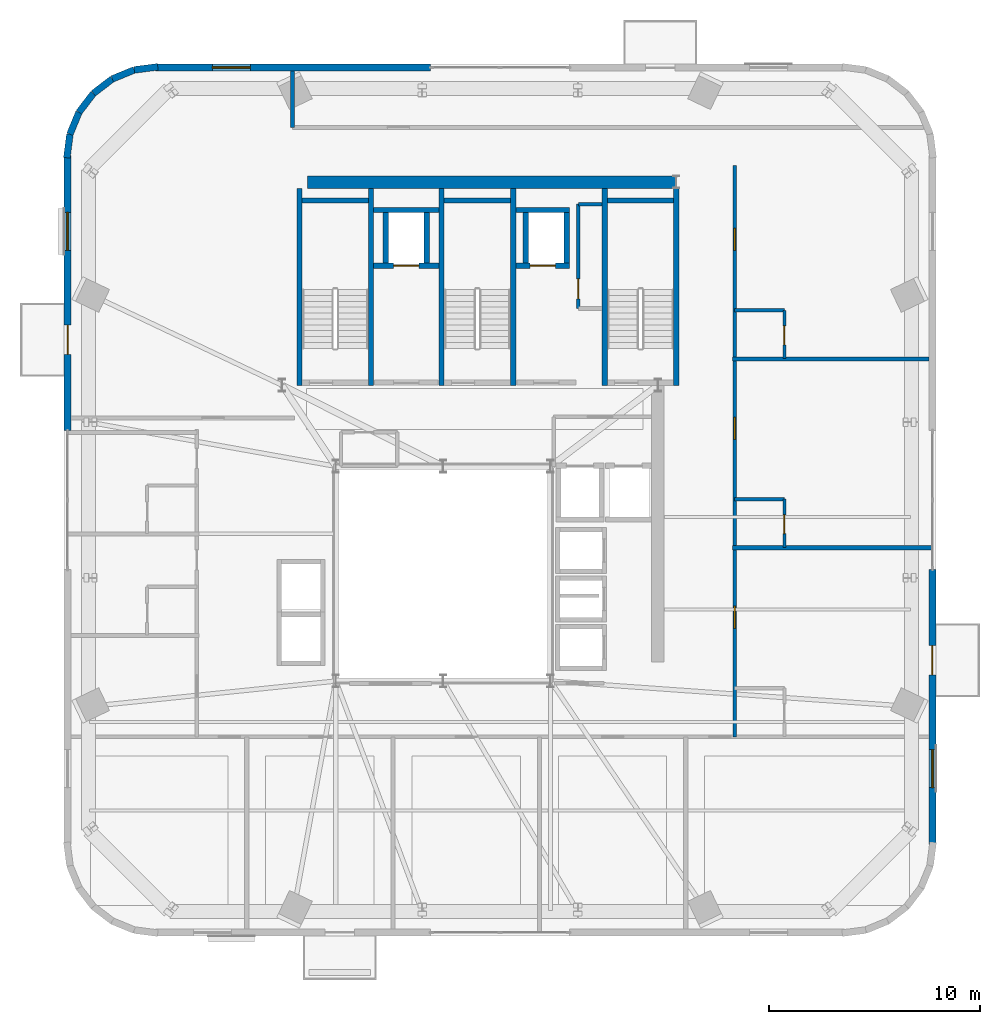
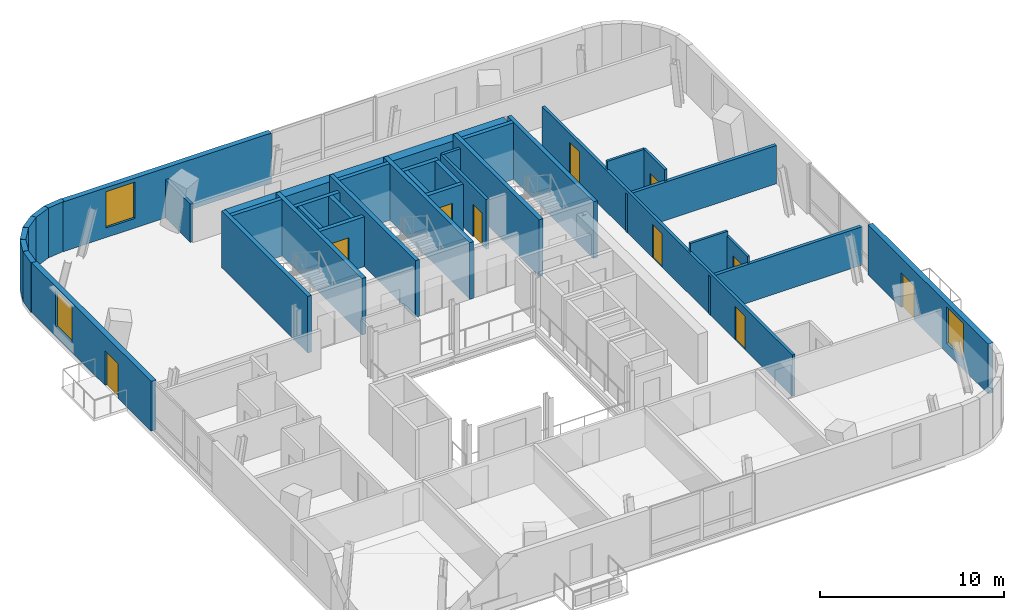
# One storey, part 8 of 13: 37 walls, 10 doors, 3 windows, 13 openings.
"""IFC4 building model written with IfcOpenShell, lengths in metres."""

from ifc_helpers import new_model, si_unit, direction, frame, frame_2d, origin, place, context, subcontext, project, spatial, rectangle, extrude, source, transform, mapped, material, layer, layer_set, type_object, element, fill, save


model = new_model("IFC4")

# Units and contexts
model_context = context("Model", 3, precision=1e-05, world=origin(), true_north=direction((0.0, 1.0)))
body_context = subcontext(model_context, "Body", "Model", "MODEL_VIEW")
ifc_project = project(units=[si_unit("LENGTHUNIT", "METRE"), si_unit("AREAUNIT", "SQUARE_METRE"), si_unit("VOLUMEUNIT", "CUBIC_METRE"), si_unit("PLANEANGLEUNIT", "RADIAN"), si_unit("MASSUNIT", "GRAM", prefix="KILO")], contexts=[model_context])

# Site, building, storey
site_placement = place(None, origin())
site = spatial("IfcSite", under=ifc_project, at=site_placement, CompositionType="ELEMENT")
building_placement = place(site_placement, origin())
building = spatial("IfcBuilding", under=site, at=building_placement, Name="Vardaveli Station Tower", CompositionType="ELEMENT")
storey_placement = place(building_placement, frame((0.0, 0.0, 274.300048828125)))
storey = spatial("IfcBuildingStorey", under=building, at=storey_placement, Name="L70", CompositionType="ELEMENT", Elevation=274.300048828125)

# Wall
ifc_material_1 = material(Name="Concrete C50/60", Category="concrete")
ifc_layer_1 = layer(ifc_material_1, 0.60009765625, Name="Concrete C50/60")
ifc_layer_set_1 = layer_set([ifc_layer_1], Name="Concrete C50/60")
wall_type_1 = type_object("IfcWallType", Name="WAL-CORE-600", PredefinedType="SHEAR", material=ifc_layer_set_1)
shared_shape_1 = source(origin(), body_context, "Body", "SweptSolid", [
    extrude(rectangle(XDim=17.52001953125, YDim=0.60009765625, at=frame_2d((8.760009765625, 0.0))), origin(), (0.0, 0.0, 1.0), 3.300048828125),
])
wall_1_placement = place(storey_placement, frame((29.85009765625, 40.300048828125, 0.0), z_axis=(0.0, 0.0, 1.0), x_axis=(1.0, 0.0, 0.0)))
element("IfcWall", 1, at=wall_1_placement, inside=storey, type_object=wall_type_1, Name="SW-L70-NORTH", PredefinedType="SHEAR", context=body_context, shape_type="MappedRepresentation", body=[
    mapped(shared_shape_1, transform((0.0, 0.0, 0.0), scale=1.0)),
])

# Wall, opening, window
ifc_material_2 = material(Name="Precast concrete C45/55", Category="concrete")
ifc_layer_2 = layer(ifc_material_2, 0.320068359375, Name="Precast concrete C45/55")
ifc_layer_set_2 = layer_set([ifc_layer_2], Name="Precast concrete C45/55")
wall_type_2 = type_object("IfcWallType", Name="WAL-EXT-STONE-320", PredefinedType="SOLIDWALL", material=ifc_layer_set_2)
shared_shape_2 = source(origin(), body_context, "Body", "SweptSolid", [
    extrude(rectangle(XDim=13.052978515625, YDim=0.320068359375, at=frame_2d((6.5263671875, 0.0))), origin(), (0.0, 0.0, 1.0), 3.300048828125),
])
wall_2_placement = place(storey_placement, frame((35.699951171875, 45.739990234375, 0.0), z_axis=(0.0, 0.0, 1.0), x_axis=(-1.0, 0.0, 0.0)))
wall_2 = element("IfcWall", 2, at=wall_2_placement, inside=storey, type_object=wall_type_2, Name="EW-L70-N2", PredefinedType="SOLIDWALL", context=body_context, shape_type="MappedRepresentation", body=[
    mapped(shared_shape_2, transform((0.0, 0.0, 0.0), scale=1.0)),
])
shared_shape_3 = source(origin(), body_context, "Body", "SweptSolid", [
    extrude(rectangle(XDim=1.800048828125, YDim=2.39990234375, at=frame_2d((0.89990234375, 1.199951171875))), frame((0.0, 0.169921875, 0.0), z_axis=(0.0, -1.0, 0.0), x_axis=(1.0, 0.0, 0.0)), (0.0, 0.0, 1.0), 0.340087890625),
])
opening_1_placement = place(wall_2_placement, frame((8.557373046875, 0.0, 0.639892578125)))
opening_1 = element("IfcOpeningElement", 3, at=opening_1_placement, cuts=wall_2, Name="Opening W-05", PredefinedType="OPENING", context=body_context, shape_type="MappedRepresentation", body=[
    mapped(shared_shape_3, transform((0.0, 0.0, 0.0), scale=1.0)),
])
ifc_material_3 = material(Name="Low-E solar-control glass", Category="glass")
window_type = type_object("IfcWindowType", Name="WIN-HIGH-1800x2400", PartitioningType="SINGLE_PANEL", PredefinedType="WINDOW", material=ifc_material_3)
shared_shape_4 = source(origin(), body_context, "Body", "SweptSolid", [
    extrude(rectangle(XDim=1.800048828125, YDim=2.39990234375, at=frame_2d((0.89990234375, 1.199951171875))), frame((0.0, 0.030029296875, 0.0), z_axis=(0.0, -1.0, 0.0), x_axis=(1.0, 0.0, 0.0)), (0.0, 0.0, 1.0), 0.06005859375),
])
window_1_placement = place(opening_1_placement, origin())
window_1 = element("IfcWindow", 4, at=window_1_placement, inside=storey, type_object=window_type, Name="WN-L70-N2", OverallHeight=2.39990234375, OverallWidth=1.800048828125, PartitioningType="SINGLE_PANEL", PredefinedType="WINDOW", context=body_context, shape_type="MappedRepresentation", body=[
    mapped(shared_shape_4, transform((0.0, 0.0, 0.0), scale=1.0)),
])
fill(opening_1, window_1)

# Wall, openings, door, window
wall_3_placement = place(storey_placement, frame((18.4599609375, 41.552978515625, 0.0), z_axis=(0.0, 0.0, 1.0), x_axis=(0.0, -1.0, 0.0)))
wall_3 = element("IfcWall", 5, at=wall_3_placement, inside=storey, type_object=wall_type_2, Name="EW-L70-W1", PredefinedType="SOLIDWALL", context=body_context, shape_type="MappedRepresentation", body=[
    mapped(shared_shape_2, transform((0.0, 0.0, 0.0), scale=1.0)),
])
shared_shape_5 = source(origin(), body_context, "Body", "SweptSolid", [
    extrude(rectangle(XDim=1.39990234375, YDim=2.300048828125, at=frame_2d((0.699951171875, 1.14990234375))), frame((0.0, 0.169921875, 0.0), z_axis=(0.0, -1.0, 0.0), x_axis=(1.0, 0.0, 0.0)), (0.0, 0.0, 1.0), 0.340087890625),
])
opening_2_placement = place(wall_3_placement, frame((8.04150390625, 0.0, 0.0)))
opening_2 = element("IfcOpeningElement", 6, at=opening_2_placement, cuts=wall_3, Name="Opening D-09", PredefinedType="OPENING", context=body_context, shape_type="MappedRepresentation", body=[
    mapped(shared_shape_5, transform((0.0, 0.0, 0.0), scale=1.0)),
])
opening_3_placement = place(wall_3_placement, frame((2.695556640625, 0.0, 0.639892578125)))
opening_3 = element("IfcOpeningElement", 7, at=opening_3_placement, cuts=wall_3, Name="Opening W-05", PredefinedType="OPENING", context=body_context, shape_type="MappedRepresentation", body=[
    mapped(shared_shape_3, transform((0.0, 0.0, 0.0), scale=1.0)),
])
ifc_material_4 = material(Name="Thermally broken aluminium glass", Category="aluminium")
door_type_1 = type_object("IfcDoorType", Name="DR-LOG-1400x2300", OperationType="DOUBLE_DOOR_SLIDING", PredefinedType="DOOR", material=ifc_material_4)
shared_shape_6 = source(origin(), body_context, "Body", "SweptSolid", [
    extrude(rectangle(XDim=1.39990234375, YDim=2.300048828125, at=frame_2d((0.699951171875, 1.14990234375))), frame((0.0, 0.02490234375, 0.0), z_axis=(0.0, -1.0, 0.0), x_axis=(1.0, 0.0, 0.0)), (0.0, 0.0, 1.0), 0.050048828125),
])
door_1_placement = place(opening_2_placement, frame((1.39990234375, 0.0, 0.0), z_axis=(0.0, 0.0, 1.0), x_axis=(-1.0, 0.0, 0.0)))
door_1 = element("IfcDoor", 8, at=door_1_placement, inside=storey, type_object=door_type_1, Name="DLG-L70-W", OperationType="DOUBLE_DOOR_SLIDING", OverallHeight=2.300048828125, OverallWidth=1.39990234375, PredefinedType="DOOR", context=body_context, shape_type="MappedRepresentation", body=[
    mapped(shared_shape_6, transform((0.0, 0.0, 0.0), scale=1.0)),
])
fill(opening_2, door_1)
window_2_placement = place(opening_3_placement, origin())
window_2 = element("IfcWindow", 9, at=window_2_placement, inside=storey, type_object=window_type, Name="WN-L70-W1", OverallHeight=2.39990234375, OverallWidth=1.800048828125, PartitioningType="SINGLE_PANEL", PredefinedType="WINDOW", context=body_context, shape_type="MappedRepresentation", body=[
    mapped(shared_shape_4, transform((0.0, 0.0, 0.0), scale=1.0)),
])
fill(opening_3, window_2)

wall_4_placement = place(storey_placement, frame((59.5400390625, 8.846923828125, 0.0), z_axis=(0.0, 0.0, 1.0), x_axis=(0.0, 1.0, 0.0)))
wall_4 = element("IfcWall", 10, at=wall_4_placement, inside=storey, type_object=wall_type_2, Name="EW-L70-E1", PredefinedType="SOLIDWALL", context=body_context, shape_type="MappedRepresentation", body=[
    mapped(shared_shape_2, transform((0.0, 0.0, 0.0), scale=1.0)),
])
opening_4_placement = place(wall_4_placement, frame((8.04150390625, 0.0, 0.0)))
opening_4 = element("IfcOpeningElement", 11, at=opening_4_placement, cuts=wall_4, Name="Opening D-09", PredefinedType="OPENING", context=body_context, shape_type="MappedRepresentation", body=[
    mapped(shared_shape_5, transform((0.0, 0.0, 0.0), scale=1.0)),
])
opening_5_placement = place(wall_4_placement, frame((2.695556640625, 0.0, 0.639892578125)))
opening_5 = element("IfcOpeningElement", 12, at=opening_5_placement, cuts=wall_4, Name="Opening W-05", PredefinedType="OPENING", context=body_context, shape_type="MappedRepresentation", body=[
    mapped(shared_shape_3, transform((0.0, 0.0, 0.0), scale=1.0)),
])
door_2_placement = place(opening_4_placement, frame((1.39990234375, 0.0, 0.0), z_axis=(0.0, 0.0, 1.0), x_axis=(-1.0, 0.0, 0.0)))
door_2 = element("IfcDoor", 13, at=door_2_placement, inside=storey, type_object=door_type_1, Name="DLG-L70-E", OperationType="DOUBLE_DOOR_SLIDING", OverallHeight=2.300048828125, OverallWidth=1.39990234375, PredefinedType="DOOR", context=body_context, shape_type="MappedRepresentation", body=[
    mapped(shared_shape_6, transform((0.0, 0.0, 0.0), scale=1.0)),
])
fill(opening_4, door_2)
window_3_placement = place(opening_5_placement, origin())
window_3 = element("IfcWindow", 14, at=window_3_placement, inside=storey, type_object=window_type, Name="WN-L70-E1", OverallHeight=2.39990234375, OverallWidth=1.800048828125, PartitioningType="SINGLE_PANEL", PredefinedType="WINDOW", context=body_context, shape_type="MappedRepresentation", body=[
    mapped(shared_shape_4, transform((0.0, 0.0, 0.0), scale=1.0)),
])
fill(opening_5, window_3)

# Walls
shared_shape_7 = source(origin(), body_context, "Body", "SweptSolid", [
    extrude(rectangle(XDim=1.1298828125, YDim=0.320068359375, at=frame_2d((0.56494140625, 0.0))), origin(), (0.0, 0.0, 1.0), 3.300048828125),
])
for number, where, z_axis, x_axis, name in (
    (15, (22.74609375, 45.7744140625, 0.0), (0.0, 0.0, 1.0), (-0.991784942297, -0.12791648929, 0.0), "EW-L70-CR4-1"),
    (16, (18.570068359375, 42.574462890625, 0.0), (0.0, 0.0, 1.0), (-0.12791648929, -0.991784942297, 0.0), "EW-L70-CR4-6"),
):
    element("IfcWall", number, at=place(storey_placement, frame(where, z_axis=z_axis, x_axis=x_axis)), inside=storey, type_object=wall_type_2, Name=name, PredefinedType="SOLIDWALL", context=body_context, shape_type="MappedRepresentation", body=[
        mapped(shared_shape_7, transform((0.0, 0.0, 0.0), scale=1.0)),
    ])
shared_shape_8 = source(origin(), body_context, "Body", "SweptSolid", [
    extrude(rectangle(XDim=1.128662109375, YDim=0.320068359375, at=frame_2d((0.564453125, 0.0))), origin(), (0.0, 0.0, 1.0), 3.300048828125),
])
for number, where, z_axis, x_axis, name in (
    (17, (21.62548828125, 45.6298828125, 0.0), (0.0, 0.0, 1.0), (-0.924624337612, -0.380880341178, 0.0), "EW-L70-CR4-2"),
    (18, (19.0, 43.6181640625, 0.0), (0.0, 0.0, 1.0), (-0.380880341178, -0.924624337612, 0.0), "EW-L70-CR4-5"),
):
    element("IfcWall", number, at=place(storey_placement, frame(where, z_axis=z_axis, x_axis=x_axis)), inside=storey, type_object=wall_type_2, Name=name, PredefinedType="SOLIDWALL", context=body_context, shape_type="MappedRepresentation", body=[
        mapped(shared_shape_8, transform((0.0, 0.0, 0.0), scale=1.0)),
    ])
shared_shape_9 = source(origin(), body_context, "Body", "SweptSolid", [
    extrude(rectangle(XDim=1.128173828125, YDim=0.320068359375, at=frame_2d((0.56396484375, 0.0))), origin(), (0.0, 0.0, 1.0), 3.300048828125),
])
for number, where, z_axis, x_axis, name in (
    (19, (20.581787109375, 45.199951171875, 0.0), (0.0, 0.0, 1.0), (-0.793724763554, -0.608277074795, 0.0), "EW-L70-CR4-3"),
    (20, (19.686279296875, 44.513671875, 0.0), (0.0, 0.0, 1.0), (-0.608277074795, -0.793724763554, 0.0), "EW-L70-CR4-4"),
):
    element("IfcWall", number, at=place(storey_placement, frame(where, z_axis=z_axis, x_axis=x_axis)), inside=storey, type_object=wall_type_2, Name=name, PredefinedType="SOLIDWALL", context=body_context, shape_type="MappedRepresentation", body=[
        mapped(shared_shape_9, transform((0.0, 0.0, 0.0), scale=1.0)),
    ])
ifc_material_5 = material(Name="Concrete C40/50", Category="concrete")
ifc_layer_3 = layer(ifc_material_5, 0.25, Name="Concrete C40/50")
ifc_layer_set_3 = layer_set([ifc_layer_3], Name="Concrete C40/50")
wall_type_3 = type_object("IfcWallType", Name="WAL-SHAFT-250", PredefinedType="SOLIDWALL", material=ifc_layer_set_3)
shared_shape_10 = source(origin(), body_context, "Body", "SweptSolid", [
    extrude(rectangle(XDim=9.35009765625, YDim=0.25, at=frame_2d((4.675048828125, 0.0))), origin(), (0.0, 0.0, 1.0), 3.75),
])
for number, where, z_axis, x_axis, name in (
    (21, (29.47509765625, 30.64990234375, 0.0), (0.0, 0.0, 1.0), (0.0, 1.0, 0.0), "W-L70-ST-1W"),
    (22, (32.875, 30.64990234375, 0.0), (0.0, 0.0, 1.0), (0.0, 1.0, 0.0), "W-L70-ST-1E"),
    (23, (36.22509765625, 30.64990234375, 0.0), (0.0, 0.0, 1.0), (0.0, 1.0, 0.0), "W-L70-ST-2W"),
    (24, (39.625, 30.64990234375, 0.0), (0.0, 0.0, 1.0), (0.0, 1.0, 0.0), "W-L70-ST-2E"),
    (25, (43.97509765625, 30.64990234375, 0.0), (0.0, 0.0, 1.0), (0.0, 1.0, 0.0), "W-L70-ST-3W"),
    (26, (47.375, 30.64990234375, 0.0), (0.0, 0.0, 1.0), (0.0, 1.0, 0.0), "W-L70-ST-3E"),
):
    element("IfcWall", number, at=place(storey_placement, frame(where, z_axis=z_axis, x_axis=x_axis)), inside=storey, type_object=wall_type_3, Name=name, PredefinedType="SOLIDWALL", context=body_context, shape_type="MappedRepresentation", body=[
        mapped(shared_shape_10, transform((0.0, 0.0, 0.0), scale=1.0)),
    ])
shared_shape_11 = source(origin(), body_context, "Body", "SweptSolid", [
    extrude(rectangle(XDim=3.14990234375, YDim=0.25, at=frame_2d((1.574951171875, 0.0))), origin(), (0.0, 0.0, 1.0), 3.75),
])
for number, where, z_axis, x_axis, name in (
    (27, (29.60009765625, 39.425048828125, 0.0), (0.0, 0.0, 1.0), (1.0, 0.0, 0.0), "W-L70-ST-1N"),
    (28, (36.35009765625, 39.425048828125, 0.0), (0.0, 0.0, 1.0), (1.0, 0.0, 0.0), "W-L70-ST-2N"),
    (29, (44.10009765625, 39.425048828125, 0.0), (0.0, 0.0, 1.0), (1.0, 0.0, 0.0), "W-L70-ST-3N"),
):
    element("IfcWall", number, at=place(storey_placement, frame(where, z_axis=z_axis, x_axis=x_axis)), inside=storey, type_object=wall_type_3, Name=name, PredefinedType="SOLIDWALL", context=body_context, shape_type="MappedRepresentation", body=[
        mapped(shared_shape_11, transform((0.0, 0.0, 0.0), scale=1.0)),
    ])

# Wall, opening, door
shared_shape_12 = source(origin(), body_context, "Body", "SweptSolid", [
    extrude(rectangle(XDim=3.10009765625, YDim=0.25, at=frame_2d((1.550048828125, 0.0))), origin(), (0.0, 0.0, 1.0), 3.300048828125),
])
wall_5_placement = place(storey_placement, frame((33.0, 36.324951171875, 0.0), z_axis=(0.0, 0.0, 1.0), x_axis=(1.0, 0.0, 0.0)))
wall_5 = element("IfcWall", 30, at=wall_5_placement, inside=storey, type_object=wall_type_3, Name="SHW-FFL-01-L70-S", PredefinedType="SOLIDWALL", context=body_context, shape_type="MappedRepresentation", body=[
    mapped(shared_shape_12, transform((0.0, 0.0, 0.0), scale=1.0)),
])
shared_shape_13 = source(origin(), body_context, "Body", "SweptSolid", [
    extrude(rectangle(XDim=1.199951171875, YDim=2.25, at=frame_2d((0.60009765625, 1.125))), frame((0.0, 0.135009765625, 0.0), z_axis=(0.0, -1.0, 0.0), x_axis=(1.0, 0.0, 0.0)), (0.0, 0.0, 1.0), 0.27001953125),
])
opening_6_placement = place(wall_5_placement, frame((0.949951171875, 0.0, 0.0)))
opening_6 = element("IfcOpeningElement", 31, at=opening_6_placement, cuts=wall_5, Name="Opening LD-02", PredefinedType="OPENING", context=body_context, shape_type="MappedRepresentation", body=[
    mapped(shared_shape_13, transform((0.0, 0.0, 0.0), scale=1.0)),
])
ifc_material_6 = material(Name="Brushed stainless steel", Category="steel")
door_type_2 = type_object("IfcDoorType", Name="DR-LD-1200x2250", OperationType="DOUBLE_DOOR_SLIDING", PredefinedType="DOOR", material=ifc_material_6)
shared_shape_14 = source(origin(), body_context, "Body", "SweptSolid", [
    extrude(rectangle(XDim=1.199951171875, YDim=2.25, at=frame_2d((0.60009765625, 1.125))), frame((0.0, 0.02490234375, 0.0), z_axis=(0.0, -1.0, 0.0), x_axis=(1.0, 0.0, 0.0)), (0.0, 0.0, 1.0), 0.050048828125),
])
door_3_placement = place(opening_6_placement, origin())
door_3 = element("IfcDoor", 32, at=door_3_placement, inside=storey, type_object=door_type_2, Name="LD-FFL-01-L70", OperationType="DOUBLE_DOOR_SLIDING", OverallHeight=2.25, OverallWidth=1.199951171875, PredefinedType="DOOR", context=body_context, shape_type="MappedRepresentation", body=[
    mapped(shared_shape_14, transform((0.0, 0.0, 0.0), scale=1.0)),
])
fill(opening_6, door_3)

# Walls
wall_6_placement = place(storey_placement, frame((33.0, 38.97509765625, 0.0), z_axis=(0.0, 0.0, 1.0), x_axis=(1.0, 0.0, 0.0)))
element("IfcWall", 33, at=wall_6_placement, inside=storey, type_object=wall_type_3, Name="SHW-FFL-01-L70-N", PredefinedType="SOLIDWALL", context=body_context, shape_type="MappedRepresentation", body=[
    mapped(shared_shape_12, transform((0.0, 0.0, 0.0), scale=1.0)),
])
shared_shape_15 = source(origin(), body_context, "Body", "SweptSolid", [
    extrude(rectangle(XDim=2.400146484375, YDim=0.25, at=frame_2d((1.2001953125, 0.0))), origin(), (0.0, 0.0, 1.0), 3.300048828125),
])
for number, where, z_axis, x_axis, name in (
    (34, (33.574951171875, 36.449951171875, 0.0), (0.0, 0.0, 1.0), (0.0, 1.0, 0.0), "SHW-FFL-01-L70-W"),
    (35, (35.52490234375, 36.449951171875, 0.0), (0.0, 0.0, 1.0), (0.0, 1.0, 0.0), "SHW-FFL-01-L70-E"),
    (36, (40.22509765625, 36.449951171875, 0.0), (0.0, 0.0, 1.0), (0.0, 1.0, 0.0), "SHW-FFL-02-L70-W"),
    (37, (42.175048828125, 36.449951171875, 0.0), (0.0, 0.0, 1.0), (0.0, 1.0, 0.0), "SHW-FFL-02-L70-E"),
):
    element("IfcWall", number, at=place(storey_placement, frame(where, z_axis=z_axis, x_axis=x_axis)), inside=storey, type_object=wall_type_3, Name=name, PredefinedType="SOLIDWALL", context=body_context, shape_type="MappedRepresentation", body=[
        mapped(shared_shape_15, transform((0.0, 0.0, 0.0), scale=1.0)),
    ])

# Wall, opening, door
shared_shape_16 = source(origin(), body_context, "Body", "SweptSolid", [
    extrude(rectangle(XDim=2.550048828125, YDim=0.25, at=frame_2d((1.27490234375, 0.0))), origin(), (0.0, 0.0, 1.0), 3.300048828125),
])
wall_7_placement = place(storey_placement, frame((39.75, 36.324951171875, 0.0), z_axis=(0.0, 0.0, 1.0), x_axis=(1.0, 0.0, 0.0)))
wall_7 = element("IfcWall", 38, at=wall_7_placement, inside=storey, type_object=wall_type_3, Name="SHW-FFL-02-L70-S", PredefinedType="SOLIDWALL", context=body_context, shape_type="MappedRepresentation", body=[
    mapped(shared_shape_16, transform((0.0, 0.0, 0.0), scale=1.0)),
])
opening_7_placement = place(wall_7_placement, frame((0.675048828125, 0.0, 0.0)))
opening_7 = element("IfcOpeningElement", 39, at=opening_7_placement, cuts=wall_7, Name="Opening LD-02", PredefinedType="OPENING", context=body_context, shape_type="MappedRepresentation", body=[
    mapped(shared_shape_13, transform((0.0, 0.0, 0.0), scale=1.0)),
])
door_4_placement = place(opening_7_placement, origin())
door_4 = element("IfcDoor", 40, at=door_4_placement, inside=storey, type_object=door_type_2, Name="LD-FFL-02-L70", OperationType="DOUBLE_DOOR_SLIDING", OverallHeight=2.25, OverallWidth=1.199951171875, PredefinedType="DOOR", context=body_context, shape_type="MappedRepresentation", body=[
    mapped(shared_shape_14, transform((0.0, 0.0, 0.0), scale=1.0)),
])
fill(opening_7, door_4)

# Wall
wall_8_placement = place(storey_placement, frame((39.75, 38.97509765625, 0.0), z_axis=(0.0, 0.0, 1.0), x_axis=(1.0, 0.0, 0.0)))
element("IfcWall", 41, at=wall_8_placement, inside=storey, type_object=wall_type_3, Name="SHW-FFL-02-L70-N", PredefinedType="SOLIDWALL", context=body_context, shape_type="MappedRepresentation", body=[
    mapped(shared_shape_16, transform((0.0, 0.0, 0.0), scale=1.0)),
])

# Wall, openings, doors
ifc_material_7 = material(Name="Fire-rated gypsum stud partition")
ifc_layer_4 = layer(ifc_material_7, 0.179931640625, Name="Fire-rated gypsum stud partition")
ifc_layer_set_4 = layer_set([ifc_layer_4], Name="Fire-rated gypsum stud partition")
wall_type_4 = type_object("IfcWallType", Name="WAL-CORR-180", PredefinedType="PARTITIONING", material=ifc_layer_set_4)
shared_shape_17 = source(origin(), body_context, "Body", "SweptSolid", [
    extrude(rectangle(XDim=27.150146484375, YDim=0.179931640625, at=frame_2d((13.5751953125, 0.0))), origin(), (0.0, 0.0, 1.0), 2.741943359375),
])
wall_9_placement = place(storey_placement, frame((50.14990234375, 13.949951171875, 0.0), z_axis=(0.0, 0.0, 1.0), x_axis=(0.0, 1.0, 0.0)))
wall_9 = element("IfcWall", 42, at=wall_9_placement, inside=storey, type_object=wall_type_4, Name="W-L70-CE", PredefinedType="PARTITIONING", context=body_context, shape_type="MappedRepresentation", body=[
    mapped(shared_shape_17, transform((0.0, 0.0, 0.0), scale=1.0)),
])
shared_shape_18 = source(origin(), body_context, "Body", "SweptSolid", [
    extrude(rectangle(XDim=1.050048828125, YDim=2.199951171875, at=frame_2d((0.52490234375, 1.10009765625))), frame((0.0, 0.10009765625, 0.0), z_axis=(0.0, -1.0, 0.0), x_axis=(1.0, 0.0, 0.0)), (0.0, 0.0, 1.0), 0.199951171875),
])
opening_8_placement = place(wall_9_placement, frame((5.1533203125, 0.0, 0.0)))
opening_8 = element("IfcOpeningElement", 43, at=opening_8_placement, cuts=wall_9, Name="Opening D-05", PredefinedType="OPENING", context=body_context, shape_type="MappedRepresentation", body=[
    mapped(shared_shape_18, transform((0.0, 0.0, 0.0), scale=1.0)),
])
opening_9_placement = place(wall_9_placement, frame((14.1298828125, 0.0, 0.0)))
opening_9 = element("IfcOpeningElement", 44, at=opening_9_placement, cuts=wall_9, Name="Opening D-05", PredefinedType="OPENING", context=body_context, shape_type="MappedRepresentation", body=[
    mapped(shared_shape_18, transform((0.0, 0.0, 0.0), scale=1.0)),
])
opening_10_placement = place(wall_9_placement, frame((23.106689453125, 0.0, 0.0)))
opening_10 = element("IfcOpeningElement", 45, at=opening_10_placement, cuts=wall_9, Name="Opening D-05", PredefinedType="OPENING", context=body_context, shape_type="MappedRepresentation", body=[
    mapped(shared_shape_18, transform((0.0, 0.0, 0.0), scale=1.0)),
])
ifc_material_8 = material(Name="Walnut veneer acoustic fire door")
door_type_3 = type_object("IfcDoorType", Name="DR-SUITE-1050x2200", OperationType="NOTDEFINED", PredefinedType="DOOR", material=ifc_material_8)
shared_shape_19 = source(origin(), body_context, "Body", "SweptSolid", [
    extrude(rectangle(XDim=1.050048828125, YDim=2.199951171875, at=frame_2d((0.52490234375, 1.10009765625))), frame((0.0, 0.02490234375, 0.0), z_axis=(0.0, -1.0, 0.0), x_axis=(1.0, 0.0, 0.0)), (0.0, 0.0, 1.0), 0.050048828125),
])
door_5_placement = place(opening_8_placement, origin())
door_5 = element("IfcDoor", 46, at=door_5_placement, inside=storey, type_object=door_type_3, Name="D-L70-GE1", OperationType="SINGLE_SWING_LEFT", OverallHeight=2.199951171875, OverallWidth=1.050048828125, PredefinedType="DOOR", context=body_context, shape_type="MappedRepresentation", body=[
    mapped(shared_shape_19, transform((0.0, 0.0, 0.0), scale=1.0)),
])
fill(opening_8, door_5)
door_6_placement = place(opening_9_placement, origin())
door_6 = element("IfcDoor", 47, at=door_6_placement, inside=storey, type_object=door_type_3, Name="D-L70-GE2", OperationType="SINGLE_SWING_RIGHT", OverallHeight=2.199951171875, OverallWidth=1.050048828125, PredefinedType="DOOR", context=body_context, shape_type="MappedRepresentation", body=[
    mapped(shared_shape_19, transform((0.0, 0.0, 0.0), scale=1.0)),
])
fill(opening_9, door_6)
door_7_placement = place(opening_10_placement, origin())
door_7 = element("IfcDoor", 48, at=door_7_placement, inside=storey, type_object=door_type_3, Name="D-L70-GE3", OperationType="SINGLE_SWING_LEFT", OverallHeight=2.199951171875, OverallWidth=1.050048828125, PredefinedType="DOOR", context=body_context, shape_type="MappedRepresentation", body=[
    mapped(shared_shape_19, transform((0.0, 0.0, 0.0), scale=1.0)),
])
fill(opening_10, door_7)

# Wall, opening, door
shared_shape_20 = source(origin(), body_context, "Body", "SweptSolid", [
    extrude(rectangle(XDim=4.949951171875, YDim=0.179931640625, at=frame_2d((2.47509765625, 0.0))), origin(), (0.0, 0.0, 1.0), 3.300048828125),
])
wall_10_placement = place(storey_placement, frame((42.719970703125, 34.300048828125, 0.0), z_axis=(0.0, 0.0, 1.0), x_axis=(0.0, 1.0, 0.0)))
wall_10 = element("IfcWall", 49, at=wall_10_placement, inside=storey, type_object=wall_type_4, Name="W-L70-CBS1-W", PredefinedType="PARTITIONING", context=body_context, shape_type="MappedRepresentation", body=[
    mapped(shared_shape_20, transform((0.0, 0.0, 0.0), scale=1.0)),
])
shared_shape_21 = source(origin(), body_context, "Body", "SweptSolid", [
    extrude(rectangle(XDim=0.949951171875, YDim=2.14990234375, at=frame_2d((0.47509765625, 1.074951171875))), frame((0.0, 0.10009765625, 0.0), z_axis=(0.0, -1.0, 0.0), x_axis=(1.0, 0.0, 0.0)), (0.0, 0.0, 1.0), 0.199951171875),
])
opening_11_placement = place(wall_10_placement, frame((0.449951171875, 0.0, 0.0)))
opening_11 = element("IfcOpeningElement", 50, at=opening_11_placement, cuts=wall_10, Name="Opening D-06", PredefinedType="OPENING", context=body_context, shape_type="MappedRepresentation", body=[
    mapped(shared_shape_21, transform((0.0, 0.0, 0.0), scale=1.0)),
])
ifc_material_9 = material(Name="Oak veneer acoustic fire door")
door_type_4 = type_object("IfcDoorType", Name="DR-GUEST-950x2150", OperationType="NOTDEFINED", PredefinedType="DOOR", material=ifc_material_9)
shared_shape_22 = source(origin(), body_context, "Body", "SweptSolid", [
    extrude(rectangle(XDim=0.949951171875, YDim=2.14990234375, at=frame_2d((0.47509765625, 1.074951171875))), frame((0.0, 0.02490234375, 0.0), z_axis=(0.0, -1.0, 0.0), x_axis=(1.0, 0.0, 0.0)), (0.0, 0.0, 1.0), 0.050048828125),
])
door_8_placement = place(opening_11_placement, origin())
door_8 = element("IfcDoor", 51, at=door_8_placement, inside=storey, type_object=door_type_4, Name="D-L70-HKP", OperationType="SINGLE_SWING_RIGHT", OverallHeight=2.14990234375, OverallWidth=0.949951171875, PredefinedType="DOOR", context=body_context, shape_type="MappedRepresentation", body=[
    mapped(shared_shape_22, transform((0.0, 0.0, 0.0), scale=1.0)),
])
fill(opening_11, door_8)

ifc_material_10 = material(Name="Moisture-resistant stud partition")
ifc_layer_5 = layer(ifc_material_10, 0.14990234375, Name="Moisture-resistant stud partition")
ifc_layer_set_5 = layer_set([ifc_layer_5], Name="Moisture-resistant stud partition")
wall_type_5 = type_object("IfcWallType", Name="WAL-WET-150", PredefinedType="PARTITIONING", material=ifc_layer_set_5)
shared_shape_23 = source(origin(), body_context, "Body", "SweptSolid", [
    extrude(rectangle(XDim=2.289794921875, YDim=0.14990234375, at=frame_2d((1.14501953125, 0.0))), origin(), (0.0, 0.0, 1.0), 3.300048828125),
])
wall_11_placement = place(storey_placement, frame((52.510009765625, 31.923095703125, 0.0), z_axis=(0.0, 0.0, 1.0), x_axis=(0.0, 1.0, 0.0)))
wall_11 = element("IfcWall", 52, at=wall_11_placement, inside=storey, type_object=wall_type_5, Name="W-L70-BE3-E", PredefinedType="PARTITIONING", context=body_context, shape_type="MappedRepresentation", body=[
    mapped(shared_shape_23, transform((0.0, 0.0, 0.0), scale=1.0)),
])
shared_shape_24 = source(origin(), body_context, "Body", "SweptSolid", [
    extrude(rectangle(XDim=0.89990234375, YDim=2.10009765625, at=frame_2d((0.449951171875, 1.050048828125))), frame((0.0, 0.0849609375, 0.0), z_axis=(0.0, -1.0, 0.0), x_axis=(1.0, 0.0, 0.0)), (0.0, 0.0, 1.0), 0.169921875),
])
opening_12_placement = place(wall_11_placement, frame((0.64990234375, 0.0, 0.0)))
opening_12 = element("IfcOpeningElement", 53, at=opening_12_placement, cuts=wall_11, Name="Opening D-08", PredefinedType="OPENING", context=body_context, shape_type="MappedRepresentation", body=[
    mapped(shared_shape_24, transform((0.0, 0.0, 0.0), scale=1.0)),
])
ifc_material_11 = material(Name="Moisture-resistant oak door")
door_type_5 = type_object("IfcDoorType", Name="DR-BATH-900x2100", OperationType="NOTDEFINED", PredefinedType="DOOR", material=ifc_material_11)
shared_shape_25 = source(origin(), body_context, "Body", "SweptSolid", [
    extrude(rectangle(XDim=0.89990234375, YDim=2.10009765625, at=frame_2d((0.449951171875, 1.050048828125))), frame((0.0, 0.02490234375, 0.0), z_axis=(0.0, -1.0, 0.0), x_axis=(1.0, 0.0, 0.0)), (0.0, 0.0, 1.0), 0.050048828125),
])
door_9_placement = place(opening_12_placement, origin())
door_9 = element("IfcDoor", 54, at=door_9_placement, inside=storey, type_object=door_type_5, Name="D-L70-BE3", OperationType="SINGLE_SWING_RIGHT", OverallHeight=2.10009765625, OverallWidth=0.89990234375, PredefinedType="DOOR", context=body_context, shape_type="MappedRepresentation", body=[
    mapped(shared_shape_25, transform((0.0, 0.0, 0.0), scale=1.0)),
])
fill(opening_12, door_9)

shared_shape_26 = source(origin(), body_context, "Body", "SweptSolid", [
    extrude(rectangle(XDim=2.2900390625, YDim=0.14990234375, at=frame_2d((1.14501953125, 0.0))), origin(), (0.0, 0.0, 1.0), 2.991943359375),
])
wall_12_placement = place(storey_placement, frame((52.510009765625, 22.947021484375, 0.0), z_axis=(0.0, 0.0, 1.0), x_axis=(0.0, 1.0, 0.0)))
wall_12 = element("IfcWall", 55, at=wall_12_placement, inside=storey, type_object=wall_type_5, Name="W-L70-BE2-E", PredefinedType="PARTITIONING", context=body_context, shape_type="MappedRepresentation", body=[
    mapped(shared_shape_26, transform((0.0, 0.0, 0.0), scale=1.0)),
])
opening_13_placement = place(wall_12_placement, frame((0.64990234375, 0.0, 0.0)))
opening_13 = element("IfcOpeningElement", 56, at=opening_13_placement, cuts=wall_12, Name="Opening D-08", PredefinedType="OPENING", context=body_context, shape_type="MappedRepresentation", body=[
    mapped(shared_shape_24, transform((0.0, 0.0, 0.0), scale=1.0)),
])
door_10_placement = place(opening_13_placement, origin())
door_10 = element("IfcDoor", 57, at=door_10_placement, inside=storey, type_object=door_type_5, Name="D-L70-BE2", OperationType="SINGLE_SWING_LEFT", OverallHeight=2.10009765625, OverallWidth=0.89990234375, PredefinedType="DOOR", context=body_context, shape_type="MappedRepresentation", body=[
    mapped(shared_shape_25, transform((0.0, 0.0, 0.0), scale=1.0)),
])
fill(opening_13, door_10)

# Walls
ifc_material_12 = material(Name="Acoustic twin-stud gypsum partition")
ifc_layer_6 = layer(ifc_material_12, 0.199951171875, Name="Acoustic twin-stud gypsum partition")
ifc_layer_set_6 = layer_set([ifc_layer_6], Name="Acoustic twin-stud gypsum partition")
wall_type_6 = type_object("IfcWallType", Name="WAL-PARTY-200", PredefinedType="PARTITIONING", material=ifc_layer_set_6)
shared_shape_27 = source(origin(), body_context, "Body", "SweptSolid", [
    extrude(rectangle(XDim=9.52001953125, YDim=0.199951171875, at=frame_2d((4.760009765625, 0.0))), origin(), (0.0, 0.0, 1.0), 2.5419921875),
])
wall_13_placement = place(storey_placement, frame((50.050048828125, 22.927001953125, 0.0), z_axis=(0.0, 0.0, 1.0), x_axis=(1.0, 0.0, 0.0)))
element("IfcWall", 58, at=wall_13_placement, inside=storey, type_object=wall_type_6, Name="W-L70-PE1", PredefinedType="PARTITIONING", context=body_context, shape_type="MappedRepresentation", body=[
    mapped(shared_shape_27, transform((0.0, 0.0, 0.0), scale=1.0)),
])
shared_shape_28 = source(origin(), body_context, "Body", "SweptSolid", [
    extrude(rectangle(XDim=9.327880859375, YDim=0.199951171875, at=frame_2d((4.6640625, 0.0))), origin(), (0.0, 0.0, 1.0), 2.5419921875),
])
wall_14_placement = place(storey_placement, frame((50.050048828125, 31.903076171875, 0.0), z_axis=(0.0, 0.0, 1.0), x_axis=(1.0, 0.0, 0.0)))
element("IfcWall", 59, at=wall_14_placement, inside=storey, type_object=wall_type_6, Name="W-L70-PE2", PredefinedType="PARTITIONING", context=body_context, shape_type="MappedRepresentation", body=[
    mapped(shared_shape_28, transform((0.0, 0.0, 0.0), scale=1.0)),
])
shared_shape_29 = source(origin(), body_context, "Body", "SweptSolid", [
    extrude(rectangle(XDim=2.677978515625, YDim=0.179931640625, at=frame_2d((1.3388671875, 0.0))), origin(), (0.0, 0.0, 1.0), 2.5419921875),
])
wall_15_placement = place(storey_placement, frame((29.14990234375, 42.89990234375, 0.0), z_axis=(0.0, 0.0, 1.0), x_axis=(0.0, 1.0, 0.0)))
element("IfcWall", 60, at=wall_15_placement, inside=storey, type_object=wall_type_4, Name="W-L70-NPW", PredefinedType="PARTITIONING", context=body_context, shape_type="MappedRepresentation", body=[
    mapped(shared_shape_29, transform((0.0, 0.0, 0.0), scale=1.0)),
])
shared_shape_30 = source(origin(), body_context, "Body", "SweptSolid", [
    extrude(rectangle(XDim=2.360107421875, YDim=0.14990234375, at=frame_2d((1.18017578125, 0.0))), origin(), (0.0, 0.0, 1.0), 3.300048828125),
])
for number, where, z_axis, x_axis, name in (
    (61, (50.14990234375, 25.237060546875, 0.0), (0.0, 0.0, 1.0), (1.0, 0.0, 0.0), "W-L70-BE2-N"),
    (62, (50.14990234375, 34.212890625, 0.0), (0.0, 0.0, 1.0), (1.0, 0.0, 0.0), "W-L70-BE3-N"),
):
    element("IfcWall", number, at=place(storey_placement, frame(where, z_axis=z_axis, x_axis=x_axis)), inside=storey, type_object=wall_type_5, Name=name, PredefinedType="PARTITIONING", context=body_context, shape_type="MappedRepresentation", body=[
        mapped(shared_shape_30, transform((0.0, 0.0, 0.0), scale=1.0)),
    ])
shared_shape_31 = source(origin(), body_context, "Body", "SweptSolid", [
    extrude(rectangle(XDim=1.1279296875, YDim=0.179931640625, at=frame_2d((0.56396484375, 0.0))), origin(), (0.0, 0.0, 1.0), 3.300048828125),
])
wall_16_placement = place(storey_placement, frame((42.719970703125, 39.25, 0.0), z_axis=(0.0, 0.0, 1.0), x_axis=(1.0, 0.0, 0.0)))
element("IfcWall", 63, at=wall_16_placement, inside=storey, type_object=wall_type_4, Name="W-L70-CBS1-N", PredefinedType="PARTITIONING", context=body_context, shape_type="MappedRepresentation", body=[
    mapped(shared_shape_31, transform((0.0, 0.0, 0.0), scale=1.0)),
])

save(model, "model.ifc")
